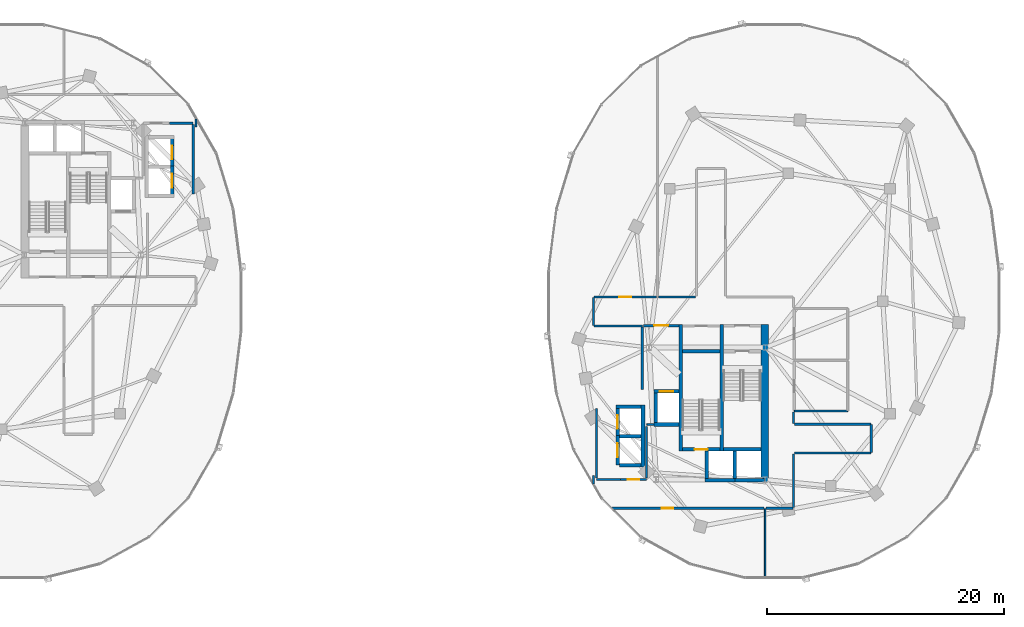
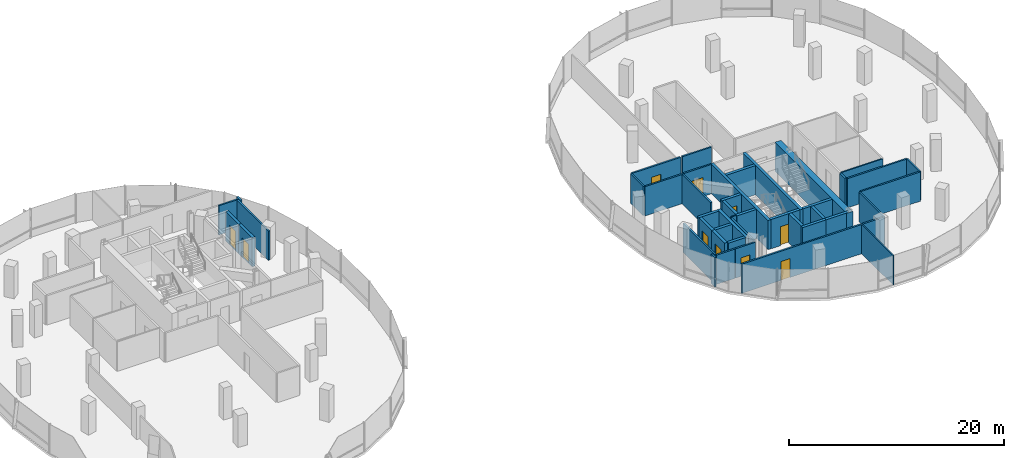
# One storey, part 13 of 21: 45 walls, 10 doors, 10 openings.
"""IFC4 building model written with IfcOpenShell, lengths in metres."""

from ifc_helpers import new_model, si_unit, direction, frame, frame_2d, origin, place, context, subcontext, project, spatial, rectangle, extrude, material, layer, layer_set, type_object, element, fill, save


model = new_model("IFC4")

# Units and contexts
model_context = context("Model", 3, precision=1e-05, world=origin(), true_north=direction((0.0, 1.0)))
body_context = subcontext(model_context, "Body", "Model", "MODEL_VIEW")
ifc_project = project(units=[si_unit("LENGTHUNIT", "METRE"), si_unit("AREAUNIT", "SQUARE_METRE"), si_unit("VOLUMEUNIT", "CUBIC_METRE"), si_unit("PLANEANGLEUNIT", "RADIAN"), si_unit("MASSUNIT", "GRAM", prefix="KILO"), si_unit("THERMODYNAMICTEMPERATUREUNIT", "KELVIN"), si_unit("POWERUNIT", "WATT")], contexts=[model_context])

# Site, building, storey
site_placement = place(None, origin())
site = spatial("IfcSite", under=ifc_project, at=site_placement, CompositionType="ELEMENT")
building_placement = place(site_placement, origin())
building = spatial("IfcBuilding", under=site, at=building_placement, Name="Cundina Bronze Exchange", CompositionType="ELEMENT")
storey_placement = place(building_placement, frame((0.0, 0.0, 183.60009765625)))
storey = spatial("IfcBuildingStorey", under=building, at=storey_placement, Name="L48", CompositionType="ELEMENT", Elevation=183.60009765625)

# Wall
ifc_material_1 = material(Name="Gypsum Fireboard Partition EI120")
ifc_layer_1 = layer(ifc_material_1, 0.179931640625, Name="Gypsum Fireboard Partition EI120")
ifc_layer_set_1 = layer_set([ifc_layer_1], Name="Gypsum Fireboard Partition EI120")
wall_type_1 = type_object("IfcWallType", Name="WL-COR-180", PredefinedType="PARTITIONING", material=ifc_layer_set_1)
wall_1_placement = place(storey_placement, frame((20.889892578125, -7.449951171875, 0.0), z_axis=(0.0, 0.0, 1.0), x_axis=(0.0, 1.0, 0.0)))
element("IfcWall", 1, at=wall_1_placement, inside=storey, type_object=wall_type_1, Name="L48 E Firefighting Lobby Side Wall", PredefinedType="PARTITIONING", context=body_context, shape_type="SweptSolid", body=[
    extrude(rectangle(XDim=5.300048828125, YDim=0.179931640625, at=frame_2d((2.64990234375, 0.0))), origin(), (0.0, 0.0, 1.0), 3.31982421875),
])

# Wall, opening, door
wall_2_placement = place(storey_placement, frame((20.97998046875, -2.06005859375, 0.0), z_axis=(0.0, 0.0, 1.0), x_axis=(1.0, 0.0, 0.0)))
wall_2 = element("IfcWall", 2, at=wall_2_placement, inside=storey, type_object=wall_type_1, Name="L48 E Firefighting Lobby Exit Wall", PredefinedType="PARTITIONING", context=body_context, shape_type="SweptSolid", body=[
    extrude(rectangle(XDim=3.0, YDim=0.179931640625, at=frame_2d((1.5, 0.0))), origin(), (0.0, 0.0, 1.0), 3.31982421875),
])
opening_1_placement = place(wall_2_placement, frame((0.89990234375, 0.0, 0.0)))
opening_1 = element("IfcOpeningElement", 3, at=opening_1_placement, cuts=wall_2, Name="Opening DF-01", PredefinedType="OPENING", context=body_context, shape_type="SweptSolid", body=[
    extrude(rectangle(XDim=1.199951171875, YDim=2.14990234375, at=frame_2d((0.60009765625, 1.074951171875))), frame((0.0, 0.099853515625, 0.0), z_axis=(0.0, -1.0, 0.0), x_axis=(1.0, 0.0, 0.0)), (0.0, 0.0, 1.0), 0.199951171875),
])
ifc_material_2 = material(Name="Steel ASTM A36 Painted", Category="steel")
door_type_1 = type_object("IfcDoorType", Name="DR-FFL-1200", OperationType="NOTDEFINED", PredefinedType="DOOR", material=ifc_material_2)
door_1_placement = place(opening_1_placement, origin())
door_1 = element("IfcDoor", 4, at=door_1_placement, inside=storey, type_object=door_type_1, Name="L48 E Firefighting Lobby Door", OperationType="SINGLE_SWING_LEFT", OverallHeight=2.14990234375, OverallWidth=1.199951171875, PredefinedType="DOOR", context=body_context, shape_type="SweptSolid", body=[
    extrude(rectangle(XDim=1.199951171875, YDim=2.14990234375, at=frame_2d((0.60009765625, 1.074951171875))), frame((0.0, 0.02490234375, 0.0), z_axis=(0.0, -1.0, 0.0), x_axis=(1.0, 0.0, 0.0)), (0.0, 0.0, 1.0), 0.050048828125),
])
fill(opening_1, door_1)

# Walls
wall_3_placement = place(storey_placement, frame((-17.02001953125, 9.070068359375, 0.0), z_axis=(0.0, 0.0, 1.0), x_axis=(0.0, 1.0, 0.0)))
element("IfcWall", 5, at=wall_3_placement, inside=storey, type_object=wall_type_1, Name="L48 Interior Partition 001", PredefinedType="PARTITIONING", context=body_context, shape_type="SweptSolid", body=[
    extrude(rectangle(XDim=5.85986328125, YDim=0.179931640625, at=frame_2d((2.929931640625, 0.0))), origin(), (0.0, 0.0, 1.0), 3.31982421875),
])
wall_4_placement = place(storey_placement, frame((-19.030029296875, 15.030029296875, 0.0), z_axis=(0.0, 0.0, 1.0), x_axis=(1.0, 0.0, 0.0)))
element("IfcWall", 6, at=wall_4_placement, inside=storey, type_object=wall_type_1, Name="L48 Interior Partition 003", PredefinedType="PARTITIONING", context=body_context, shape_type="SweptSolid", body=[
    extrude(rectangle(XDim=1.989990234375, YDim=0.179931640625, at=frame_2d((0.9951171875, 0.0))), origin(), (0.0, 0.0, 1.0), 3.31982421875),
])
wall_5_placement = place(storey_placement, frame((-16.780029296875, 14.721435546875, 0.0), z_axis=(0.0, 0.0, 1.0), x_axis=(0.0, 1.0, 0.0)))
element("IfcWall", 7, at=wall_5_placement, inside=storey, type_object=wall_type_1, Name="L48 Interior Partition 030", PredefinedType="PARTITIONING", context=body_context, shape_type="SweptSolid", body=[
    extrude(rectangle(XDim=0.68359375, YDim=0.179931640625, at=frame_2d((0.341796875, 0.0))), origin(), (0.0, 0.0, 1.0), 3.31982421875),
])
wall_6_placement = place(storey_placement, frame((17.02001953125, -14.929931640625, 0.0), z_axis=(0.0, 0.0, 1.0), x_axis=(0.0, 1.0, 0.0)))
element("IfcWall", 8, at=wall_6_placement, inside=storey, type_object=wall_type_1, Name="L48 Interior Partition 032", PredefinedType="PARTITIONING", context=body_context, shape_type="SweptSolid", body=[
    extrude(rectangle(XDim=5.85986328125, YDim=0.179931640625, at=frame_2d((2.929931640625, 0.0))), origin(), (0.0, 0.0, 1.0), 3.31982421875),
])
wall_7_placement = place(storey_placement, frame((17.0400390625, -15.030029296875, 0.0), z_axis=(0.0, 0.0, 1.0), x_axis=(1.0, 0.0, 0.0)))
element("IfcWall", 9, at=wall_7_placement, inside=storey, type_object=wall_type_1, Name="L48 Interior Partition 033", PredefinedType="PARTITIONING", context=body_context, shape_type="SweptSolid", body=[
    extrude(rectangle(XDim=1.989990234375, YDim=0.179931640625, at=frame_2d((0.9951171875, 0.0))), origin(), (0.0, 0.0, 1.0), 3.31982421875),
])

# Wall, opening, door
wall_8_placement = place(storey_placement, frame((21.22998046875, -15.030029296875, 0.0), z_axis=(0.0, 0.0, 1.0), x_axis=(-1.0, 0.0, 0.0)))
wall_8 = element("IfcWall", 10, at=wall_8_placement, inside=storey, type_object=wall_type_1, Name="L48 Interior Partition 034", PredefinedType="PARTITIONING", context=body_context, shape_type="SweptSolid", body=[
    extrude(rectangle(XDim=2.159912109375, YDim=0.179931640625, at=frame_2d((1.080078125, 0.0))), origin(), (0.0, 0.0, 1.0), 3.31982421875),
])
opening_2_placement = place(wall_8_placement, frame((0.60498046875, 0.0, 0.0)))
opening_2 = element("IfcOpeningElement", 11, at=opening_2_placement, cuts=wall_8, Name="Opening DW-01", PredefinedType="OPENING", context=body_context, shape_type="SweptSolid", body=[
    extrude(rectangle(XDim=0.949951171875, YDim=2.10009765625, at=frame_2d((0.47509765625, 1.050048828125))), frame((0.0, 0.099853515625, 0.0), z_axis=(0.0, -1.0, 0.0), x_axis=(1.0, 0.0, 0.0)), (0.0, 0.0, 1.0), 0.199951171875),
])
ifc_material_3 = material(Name="Solid Andean Oak Timber Grade A", Category="wood")
door_type_2 = type_object("IfcDoorType", Name="DR-WC-950", OperationType="NOTDEFINED", PredefinedType="DOOR", material=ifc_material_3)
door_2_placement = place(opening_2_placement, origin())
door_2 = element("IfcDoor", 12, at=door_2_placement, inside=storey, type_object=door_type_2, Name="L48 Interior Door 034", OperationType="SINGLE_SWING_RIGHT", OverallHeight=2.10009765625, OverallWidth=0.949951171875, PredefinedType="DOOR", context=body_context, shape_type="SweptSolid", body=[
    extrude(rectangle(XDim=0.949951171875, YDim=2.10009765625, at=frame_2d((0.47509765625, 1.050048828125))), frame((0.0, 0.02490234375, 0.0), z_axis=(0.0, -1.0, 0.0), x_axis=(1.0, 0.0, 0.0)), (0.0, 0.0, 1.0), 0.050048828125),
])
fill(opening_2, door_2)

# Wall
wall_9_placement = place(storey_placement, frame((21.25, -14.929931640625, 0.0), z_axis=(0.0, 0.0, 1.0), x_axis=(0.0, 1.0, 0.0)))
element("IfcWall", 13, at=wall_9_placement, inside=storey, type_object=wall_type_1, Name="L48 Interior Partition 036", PredefinedType="PARTITIONING", context=body_context, shape_type="SweptSolid", body=[
    extrude(rectangle(XDim=4.35986328125, YDim=0.179931640625, at=frame_2d((2.179931640625, 0.0))), origin(), (0.0, 0.0, 1.0), 3.31982421875),
])

# Wall, opening, door
wall_10_placement = place(storey_placement, frame((18.341796875, -17.469970703125, 0.0), z_axis=(0.0, 0.0, 1.0), x_axis=(1.0, 0.0, 0.0)))
wall_10 = element("IfcWall", 14, at=wall_10_placement, inside=storey, type_object=wall_type_1, Name="L48 Interior Partition 047", PredefinedType="PARTITIONING", context=body_context, shape_type="SweptSolid", body=[
    extrude(rectangle(XDim=12.828125, YDim=0.179931640625, at=frame_2d((6.4140625, 0.0))), origin(), (0.0, 0.0, 1.0), 3.31982421875),
])
opening_3_placement = place(wall_10_placement, frame((4.17578125, 0.0, 0.0)))
opening_3 = element("IfcOpeningElement", 15, at=opening_3_placement, cuts=wall_10, Name="Opening DO-01", PredefinedType="OPENING", context=body_context, shape_type="SweptSolid", body=[
    extrude(rectangle(XDim=1.0, YDim=2.14990234375, at=frame_2d((0.5, 1.074951171875))), frame((0.0, 0.099853515625, 0.0), z_axis=(0.0, -1.0, 0.0), x_axis=(1.0, 0.0, 0.0)), (0.0, 0.0, 1.0), 0.199951171875),
])
door_type_3 = type_object("IfcDoorType", Name="DR-OFF-1000", OperationType="NOTDEFINED", PredefinedType="DOOR", material=ifc_material_3)
door_3_placement = place(opening_3_placement, origin())
door_3 = element("IfcDoor", 16, at=door_3_placement, inside=storey, type_object=door_type_3, Name="L48 Interior Door 047", OperationType="SINGLE_SWING_RIGHT", OverallHeight=2.14990234375, OverallWidth=1.0, PredefinedType="DOOR", context=body_context, shape_type="SweptSolid", body=[
    extrude(rectangle(XDim=1.0, YDim=2.14990234375, at=frame_2d((0.5, 1.074951171875))), frame((0.0, 0.02490234375, 0.0), z_axis=(0.0, -1.0, 0.0), x_axis=(1.0, 0.0, 0.0)), (0.0, 0.0, 1.0), 0.050048828125),
])
fill(opening_3, door_3)

wall_11_placement = place(storey_placement, frame((22.080078125, 0.3701171875, 0.0), z_axis=(0.0, 0.0, 1.0), x_axis=(-1.0, 0.0, 0.0)))
wall_11 = element("IfcWall", 17, at=wall_11_placement, inside=storey, type_object=wall_type_1, Name="L48 Interior Partition 048", PredefinedType="PARTITIONING", context=body_context, shape_type="SweptSolid", body=[
    extrude(rectangle(XDim=5.258544921875, YDim=0.179931640625, at=frame_2d((2.62939453125, 0.0))), origin(), (0.0, 0.0, 1.0), 3.31982421875),
])
opening_4_placement = place(wall_11_placement, frame((2.129150390625, 0.0, 0.0)))
opening_4 = element("IfcOpeningElement", 18, at=opening_4_placement, cuts=wall_11, Name="Opening DO-01", PredefinedType="OPENING", context=body_context, shape_type="SweptSolid", body=[
    extrude(rectangle(XDim=1.0, YDim=2.14990234375, at=frame_2d((0.5, 1.074951171875))), frame((0.0, 0.099853515625, 0.0), z_axis=(0.0, -1.0, 0.0), x_axis=(1.0, 0.0, 0.0)), (0.0, 0.0, 1.0), 0.199951171875),
])
door_4_placement = place(opening_4_placement, origin())
door_4 = element("IfcDoor", 19, at=door_4_placement, inside=storey, type_object=door_type_3, Name="L48 Interior Door 048", OperationType="SINGLE_SWING_RIGHT", OverallHeight=2.14990234375, OverallWidth=1.0, PredefinedType="DOOR", context=body_context, shape_type="SweptSolid", body=[
    extrude(rectangle(XDim=1.0, YDim=2.14990234375, at=frame_2d((0.5, 1.074951171875))), frame((0.0, 0.02490234375, 0.0), z_axis=(0.0, -1.0, 0.0), x_axis=(1.0, 0.0, 0.0)), (0.0, 0.0, 1.0), 0.050048828125),
])
fill(opening_4, door_4)

# Walls
wall_12_placement = place(storey_placement, frame((16.821533203125, -2.10009765625, 0.0), z_axis=(0.0, 0.0, 1.0), x_axis=(1.0, 0.0, 0.0)))
element("IfcWall", 20, at=wall_12_placement, inside=storey, type_object=wall_type_1, Name="L48 Interior Partition 049", PredefinedType="PARTITIONING", context=body_context, shape_type="SweptSolid", body=[
    extrude(rectangle(XDim=4.098388671875, YDim=0.179931640625, at=frame_2d((2.04931640625, 0.0))), origin(), (0.0, 0.0, 1.0), 3.31982421875),
])
wall_13_placement = place(storey_placement, frame((16.780029296875, 0.32861328125, 0.0), z_axis=(0.0, 0.0, 1.0), x_axis=(0.0, -1.0, 0.0)))
element("IfcWall", 21, at=wall_13_placement, inside=storey, type_object=wall_type_1, Name="L48 Interior Partition 050", PredefinedType="PARTITIONING", context=body_context, shape_type="SweptSolid", body=[
    extrude(rectangle(XDim=2.38720703125, YDim=0.179931640625, at=frame_2d((1.193603515625, 0.0))), origin(), (0.0, 0.0, 1.0), 3.31982421875),
])
wall_14_placement = place(storey_placement, frame((16.780029296875, -14.721435546875, 0.0), z_axis=(0.0, 0.0, 1.0), x_axis=(0.0, -1.0, 0.0)))
element("IfcWall", 22, at=wall_14_placement, inside=storey, type_object=wall_type_1, Name="L48 Interior Partition 051", PredefinedType="PARTITIONING", context=body_context, shape_type="SweptSolid", body=[
    extrude(rectangle(XDim=0.68359375, YDim=0.179931640625, at=frame_2d((0.341796875, 0.0))), origin(), (0.0, 0.0, 1.0), 3.31982421875),
])
for number, where, z_axis, x_axis, name in (
    (23, (33.75, -12.820068359375, 0.0), (0.0, 0.0, 1.0), (1.0, 0.0, 0.0), "L48 Interior Partition 054"),
    (24, (40.178466796875, -10.3798828125, 0.0), (0.0, 0.0, 1.0), (-1.0, 0.0, 0.0), "L48 Interior Partition 055"),
):
    element("IfcWall", number, at=place(storey_placement, frame(where, z_axis=z_axis, x_axis=x_axis)), inside=storey, type_object=wall_type_1, Name=name, PredefinedType="PARTITIONING", context=body_context, shape_type="SweptSolid", body=[
        extrude(rectangle(XDim=6.428466796875, YDim=0.179931640625, at=frame_2d((3.21435546875, 0.0))), origin(), (0.0, 0.0, 1.0), 3.31982421875),
    ])
wall_15_placement = place(storey_placement, frame((33.669921875, -17.428466796875, 0.0), z_axis=(0.0, 0.0, 1.0), x_axis=(0.0, 1.0, 0.0)))
element("IfcWall", 25, at=wall_15_placement, inside=storey, type_object=wall_type_1, Name="L48 Interior Partition 057", PredefinedType="PARTITIONING", context=body_context, shape_type="SweptSolid", body=[
    extrude(rectangle(XDim=4.528564453125, YDim=0.179931640625, at=frame_2d((2.26416015625, 0.0))), origin(), (0.0, 0.0, 1.0), 3.31982421875),
])
wall_16_placement = place(storey_placement, frame((25.39990234375, 0.3701171875, 0.0), z_axis=(0.0, 0.0, 1.0), x_axis=(-1.0, 0.0, 0.0)))
element("IfcWall", 26, at=wall_16_placement, inside=storey, type_object=wall_type_1, Name="L48 Interior Partition 058", PredefinedType="PARTITIONING", context=body_context, shape_type="SweptSolid", body=[
    extrude(rectangle(XDim=3.139892578125, YDim=0.179931640625, at=frame_2d((1.56982421875, 0.0))), origin(), (0.0, 0.0, 1.0), 3.31982421875),
])
wall_17_placement = place(storey_placement, frame((40.219970703125, -12.778564453125, 0.0), z_axis=(0.0, 0.0, 1.0), x_axis=(0.0, 1.0, 0.0)))
element("IfcWall", 27, at=wall_17_placement, inside=storey, type_object=wall_type_1, Name="L48 Interior Partition 060", PredefinedType="PARTITIONING", context=body_context, shape_type="SweptSolid", body=[
    extrude(rectangle(XDim=2.357177734375, YDim=0.179931640625, at=frame_2d((1.1787109375, 0.0))), origin(), (0.0, 0.0, 1.0), 3.31982421875),
])
wall_18_placement = place(storey_placement, frame((31.35009765625, -17.469970703125, 0.0), z_axis=(0.0, 0.0, 1.0), x_axis=(1.0, 0.0, 0.0)))
element("IfcWall", 28, at=wall_18_placement, inside=storey, type_object=wall_type_1, Name="L48 Interior Partition 061", PredefinedType="PARTITIONING", context=body_context, shape_type="SweptSolid", body=[
    extrude(rectangle(XDim=2.2783203125, YDim=0.179931640625, at=frame_2d((1.13916015625, 0.0))), origin(), (0.0, 0.0, 1.0), 3.31982421875),
])
wall_19_placement = place(storey_placement, frame((33.669921875, -10.300048828125, 0.0), z_axis=(0.0, 0.0, 1.0), x_axis=(0.0, 1.0, 0.0)))
element("IfcWall", 29, at=wall_19_placement, inside=storey, type_object=wall_type_1, Name="L48 Interior Partition 062", PredefinedType="PARTITIONING", context=body_context, shape_type="SweptSolid", body=[
    extrude(rectangle(XDim=0.94873046875, YDim=0.179931640625, at=frame_2d((0.474365234375, 0.0))), origin(), (0.0, 0.0, 1.0), 3.31982421875),
])
ifc_material_4 = material(Name="Concrete C50/60", Category="concrete")
ifc_layer_2 = layer(ifc_material_4, 0.64990234375, Name="Concrete C50/60", Category="concrete")
ifc_layer_set_2 = layer_set([ifc_layer_2], Name="Concrete C50/60")
wall_type_2 = type_object("IfcWallType", Name="WL-CORE-650", PredefinedType="SHEAR", material=ifc_layer_set_2)
wall_20_placement = place(storey_placement, frame((31.22509765625, -15.300048828125, 0.0), z_axis=(0.0, 0.0, 1.0), x_axis=(0.0, 1.0, 0.0)))
element("IfcWall", 30, at=wall_20_placement, inside=storey, type_object=wall_type_2, Name="L48 E Primary Core Shear Spine Wall", PredefinedType="SHEAR", context=body_context, shape_type="SweptSolid", body=[
    extrude(rectangle(XDim=13.330078125, YDim=0.64990234375, at=frame_2d((6.6650390625, 0.0))), origin(), (0.0, 0.0, 1.0), 3.31982421875),
])
ifc_material_5 = material(Name="Gypsum Acoustic Partition EI60")
ifc_layer_3 = layer(ifc_material_5, 0.125, Name="Gypsum Acoustic Partition EI60")
ifc_layer_set_3 = layer_set([ifc_layer_3], Name="Gypsum Acoustic Partition EI60")
wall_type_3 = type_object("IfcWallType", Name="WL-OFF-125", PredefinedType="PARTITIONING", material=ifc_layer_set_3)
wall_21_placement = place(storey_placement, frame((31.260009765625, -23.402099609375, 0.0), z_axis=(0.0, 0.0, 1.0), x_axis=(0.0, 1.0, 0.0)))
element("IfcWall", 31, at=wall_21_placement, inside=storey, type_object=wall_type_3, Name="L48 Interior Partition 046", PredefinedType="PARTITIONING", context=body_context, shape_type="SweptSolid", body=[
    extrude(rectangle(XDim=5.902099609375, YDim=0.125, at=frame_2d((2.951171875, 0.0))), origin(), (0.0, 0.0, 1.0), 3.31982421875),
])

# Wall, opening, door
ifc_layer_4 = layer(ifc_material_4, 0.300048828125, Name="Concrete C50/60", Category="concrete")
ifc_layer_set_4 = layer_set([ifc_layer_4], Name="Concrete C50/60")
wall_type_4 = type_object("IfcWallType", Name="WL-SHFT-300", PredefinedType="SHEAR", material=ifc_layer_set_4)
wall_22_placement = place(storey_placement, frame((-18.800048828125, 8.929931640625, 0.0), z_axis=(0.0, 0.0, 1.0), x_axis=(0.0, 1.0, 0.0)))
wall_22 = element("IfcWall", 32, at=wall_22_placement, inside=storey, type_object=wall_type_4, Name="L48 PM-W2 Hoistway Front Wall", PredefinedType="SHEAR", context=body_context, shape_type="SweptSolid", body=[
    extrude(rectangle(XDim=2.489990234375, YDim=0.300048828125, at=frame_2d((1.2451171875, 0.0))), origin(), (0.0, 0.0, 1.0), 3.31982421875),
])
opening_5_placement = place(wall_22_placement, frame((0.669921875, 0.0, 0.0)))
opening_5 = element("IfcOpeningElement", 33, at=opening_5_placement, cuts=wall_22, Name="Opening LD-01", PredefinedType="OPENING", context=body_context, shape_type="SweptSolid", body=[
    extrude(rectangle(XDim=1.14990234375, YDim=2.199951171875, at=frame_2d((0.574951171875, 1.10009765625))), frame((0.0, 0.159912109375, 0.0), z_axis=(0.0, -1.0, 0.0), x_axis=(1.0, 0.0, 0.0)), (0.0, 0.0, 1.0), 0.320068359375),
])
door_type_4 = type_object("IfcDoorType", Name="DR-LND-1150", OperationType="NOTDEFINED", PredefinedType="TRAPDOOR", material=ifc_material_2)
door_5_placement = place(opening_5_placement, origin())
door_5 = element("IfcDoor", 34, at=door_5_placement, inside=storey, type_object=door_type_4, Name="L48 PM-W2 Sliding Landing Door", OperationType="SLIDING_TO_LEFT", OverallHeight=2.199951171875, OverallWidth=1.14990234375, PredefinedType="TRAPDOOR", context=body_context, shape_type="SweptSolid", body=[
    extrude(rectangle(XDim=1.14990234375, YDim=2.199951171875, at=frame_2d((0.574951171875, 1.10009765625))), frame((0.0, 0.02490234375, 0.0), z_axis=(0.0, -1.0, 0.0), x_axis=(1.0, 0.0, 0.0)), (0.0, 0.0, 1.0), 0.050048828125),
])
fill(opening_5, door_5)

wall_23_placement = place(storey_placement, frame((-18.800048828125, 11.330078125, 0.0), z_axis=(0.0, 0.0, 1.0), x_axis=(0.0, 1.0, 0.0)))
wall_23 = element("IfcWall", 35, at=wall_23_placement, inside=storey, type_object=wall_type_4, Name="L48 PM-W1 Hoistway Front Wall", PredefinedType="SHEAR", context=body_context, shape_type="SweptSolid", body=[
    extrude(rectangle(XDim=2.489990234375, YDim=0.300048828125, at=frame_2d((1.2451171875, 0.0))), origin(), (0.0, 0.0, 1.0), 3.31982421875),
])
opening_6_placement = place(wall_23_placement, frame((0.669921875, 0.0, 0.0)))
opening_6 = element("IfcOpeningElement", 36, at=opening_6_placement, cuts=wall_23, Name="Opening LD-01", PredefinedType="OPENING", context=body_context, shape_type="SweptSolid", body=[
    extrude(rectangle(XDim=1.14990234375, YDim=2.199951171875, at=frame_2d((0.574951171875, 1.10009765625))), frame((0.0, 0.159912109375, 0.0), z_axis=(0.0, -1.0, 0.0), x_axis=(1.0, 0.0, 0.0)), (0.0, 0.0, 1.0), 0.320068359375),
])
door_6_placement = place(opening_6_placement, origin())
door_6 = element("IfcDoor", 37, at=door_6_placement, inside=storey, type_object=door_type_4, Name="L48 PM-W1 Sliding Landing Door", OperationType="SLIDING_TO_LEFT", OverallHeight=2.199951171875, OverallWidth=1.14990234375, PredefinedType="TRAPDOOR", context=body_context, shape_type="SweptSolid", body=[
    extrude(rectangle(XDim=1.14990234375, YDim=2.199951171875, at=frame_2d((0.574951171875, 1.10009765625))), frame((0.0, 0.02490234375, 0.0), z_axis=(0.0, -1.0, 0.0), x_axis=(1.0, 0.0, 0.0)), (0.0, 0.0, 1.0), 0.050048828125),
])
fill(opening_6, door_6)

# Walls
for number, where, z_axis, x_axis, name in (
    (38, (27.590087890625, -12.64990234375, 0.0), (0.0, 0.0, 1.0), (0.0, 1.0, 0.0), "L48 E Stair Shaft Dividing Shear Wall"),
    (39, (24.1298828125, -12.64990234375, 0.0), (0.0, 0.0, 1.0), (0.0, 1.0, 0.0), "L48 E Stair 2 East Shear Wall"),
):
    element("IfcWall", number, at=place(storey_placement, frame(where, z_axis=z_axis, x_axis=x_axis)), inside=storey, type_object=wall_type_4, Name=name, PredefinedType="SHEAR", context=body_context, shape_type="SweptSolid", body=[
        extrude(rectangle(XDim=10.679931640625, YDim=0.300048828125, at=frame_2d((5.33984375, 0.0))), origin(), (0.0, 0.0, 1.0), 3.31982421875),
    ])
wall_24_placement = place(storey_placement, frame((27.739990234375, -12.5, 0.0), z_axis=(0.0, 0.0, 1.0), x_axis=(1.0, 0.0, 0.0)))
element("IfcWall", 40, at=wall_24_placement, inside=storey, type_object=wall_type_4, Name="L48 Stair E1 Far Shaft Wall", PredefinedType="SHEAR", context=body_context, shape_type="SweptSolid", body=[
    extrude(rectangle(XDim=3.159912109375, YDim=0.300048828125, at=frame_2d((1.580078125, 0.0))), origin(), (0.0, 0.0, 1.0), 3.31982421875),
])

# Wall, opening, door
wall_25_placement = place(storey_placement, frame((24.280029296875, -12.5, 0.0), z_axis=(0.0, 0.0, 1.0), x_axis=(1.0, 0.0, 0.0)))
wall_25 = element("IfcWall", 41, at=wall_25_placement, inside=storey, type_object=wall_type_4, Name="L48 Stair E2 Landing Wall", PredefinedType="SHEAR", context=body_context, shape_type="SweptSolid", body=[
    extrude(rectangle(XDim=3.159912109375, YDim=0.300048828125, at=frame_2d((1.580078125, 0.0))), origin(), (0.0, 0.0, 1.0), 3.31982421875),
])
opening_7_placement = place(wall_25_placement, frame((1.030029296875, 0.0, 0.0)))
opening_7 = element("IfcOpeningElement", 42, at=opening_7_placement, cuts=wall_25, Name="Opening DS-01", PredefinedType="OPENING", context=body_context, shape_type="SweptSolid", body=[
    extrude(rectangle(XDim=1.10009765625, YDim=2.14990234375, at=frame_2d((0.550048828125, 1.074951171875))), frame((0.0, 0.159912109375, 0.0), z_axis=(0.0, -1.0, 0.0), x_axis=(1.0, 0.0, 0.0)), (0.0, 0.0, 1.0), 0.320068359375),
])
door_type_5 = type_object("IfcDoorType", Name="DR-STR-1100", OperationType="NOTDEFINED", PredefinedType="DOOR", material=ifc_material_2)
door_7_placement = place(opening_7_placement, origin())
door_7 = element("IfcDoor", 43, at=door_7_placement, inside=storey, type_object=door_type_5, Name="L48 Smokeproof Stair E2 Door", OperationType="SINGLE_SWING_RIGHT", OverallHeight=2.14990234375, OverallWidth=1.10009765625, PredefinedType="DOOR", context=body_context, shape_type="SweptSolid", body=[
    extrude(rectangle(XDim=1.10009765625, YDim=2.14990234375, at=frame_2d((0.550048828125, 1.074951171875))), frame((0.0, 0.02490234375, 0.0), z_axis=(0.0, -1.0, 0.0), x_axis=(1.0, 0.0, 0.0)), (0.0, 0.0, 1.0), 0.050048828125),
])
fill(opening_7, door_7)

# Wall
wall_26_placement = place(storey_placement, frame((24.280029296875, -4.199951171875, 0.0), z_axis=(0.0, 0.0, 1.0), x_axis=(1.0, 0.0, 0.0)))
element("IfcWall", 44, at=wall_26_placement, inside=storey, type_object=wall_type_4, Name="L48 Stair E2 Far Shaft Wall", PredefinedType="SHEAR", context=body_context, shape_type="SweptSolid", body=[
    extrude(rectangle(XDim=3.159912109375, YDim=0.300048828125, at=frame_2d((1.580078125, 0.0))), origin(), (0.0, 0.0, 1.0), 3.31982421875),
])

# Wall, opening, door
wall_27_placement = place(storey_placement, frame((21.8798828125, -7.60009765625, 0.0), z_axis=(0.0, 0.0, 1.0), x_axis=(1.0, 0.0, 0.0)))
wall_27 = element("IfcWall", 45, at=wall_27_placement, inside=storey, type_object=wall_type_4, Name="L48 FFL-E Hoistway Front Wall", PredefinedType="SHEAR", context=body_context, shape_type="SweptSolid", body=[
    extrude(rectangle(XDim=2.10009765625, YDim=0.300048828125, at=frame_2d((1.050048828125, 0.0))), origin(), (0.0, 0.0, 1.0), 3.31982421875),
])
opening_8_placement = place(wall_27_placement, frame((0.47509765625, 0.0, 0.0)))
opening_8 = element("IfcOpeningElement", 46, at=opening_8_placement, cuts=wall_27, Name="Opening LD-01", PredefinedType="OPENING", context=body_context, shape_type="SweptSolid", body=[
    extrude(rectangle(XDim=1.14990234375, YDim=2.199951171875, at=frame_2d((0.574951171875, 1.10009765625))), frame((0.0, 0.159912109375, 0.0), z_axis=(0.0, -1.0, 0.0), x_axis=(1.0, 0.0, 0.0)), (0.0, 0.0, 1.0), 0.320068359375),
])
door_8_placement = place(opening_8_placement, origin())
door_8 = element("IfcDoor", 47, at=door_8_placement, inside=storey, type_object=door_type_4, Name="L48 FFL-E Sliding Landing Door", OperationType="SLIDING_TO_LEFT", OverallHeight=2.199951171875, OverallWidth=1.14990234375, PredefinedType="TRAPDOOR", context=body_context, shape_type="SweptSolid", body=[
    extrude(rectangle(XDim=1.14990234375, YDim=2.199951171875, at=frame_2d((0.574951171875, 1.10009765625))), frame((0.0, 0.02490234375, 0.0), z_axis=(0.0, -1.0, 0.0), x_axis=(1.0, 0.0, 0.0)), (0.0, 0.0, 1.0), 0.050048828125),
])
fill(opening_8, door_8)

# Walls
wall_28_placement = place(storey_placement, frame((21.8798828125, -10.39990234375, 0.0), z_axis=(0.0, 0.0, 1.0), x_axis=(1.0, 0.0, 0.0)))
element("IfcWall", 48, at=wall_28_placement, inside=storey, type_object=wall_type_4, Name="L48 FFL-E Hoistway Back Wall", PredefinedType="SHEAR", context=body_context, shape_type="SweptSolid", body=[
    extrude(rectangle(XDim=2.10009765625, YDim=0.300048828125, at=frame_2d((1.050048828125, 0.0))), origin(), (0.0, 0.0, 1.0), 3.31982421875),
])
for number, where, z_axis, x_axis, name in (
    (49, (22.030029296875, -10.25, 0.0), (0.0, 0.0, 1.0), (0.0, 1.0, 0.0), "L48 FFL-E Hoistway Side Wall"),
    (50, (28.699951171875, -15.10009765625, 0.0), (0.0, 0.0, 1.0), (1.0, 0.0, 0.0), "L48 PH-E1 Hoistway Front Wall"),
):
    element("IfcWall", number, at=place(storey_placement, frame(where, z_axis=z_axis, x_axis=x_axis)), inside=storey, type_object=wall_type_4, Name=name, PredefinedType="SHEAR", context=body_context, shape_type="SweptSolid", body=[
        extrude(rectangle(XDim=2.5, YDim=0.300048828125, at=frame_2d((1.25, 0.0))), origin(), (0.0, 0.0, 1.0), 3.31982421875),
    ])
wall_29_placement = place(storey_placement, frame((28.699951171875, -14.949951171875, 0.0), z_axis=(0.0, 0.0, 1.0), x_axis=(0.0, 1.0, 0.0)))
element("IfcWall", 51, at=wall_29_placement, inside=storey, type_object=wall_type_4, Name="L48 PH-E1 Hoistway Divider Wall", PredefinedType="SHEAR", context=body_context, shape_type="SweptSolid", body=[
    extrude(rectangle(XDim=2.300048828125, YDim=0.300048828125, at=frame_2d((1.14990234375, 0.0))), origin(), (0.0, 0.0, 1.0), 3.31982421875),
])
wall_30_placement = place(storey_placement, frame((26.199951171875, -15.10009765625, 0.0), z_axis=(0.0, 0.0, 1.0), x_axis=(1.0, 0.0, 0.0)))
element("IfcWall", 52, at=wall_30_placement, inside=storey, type_object=wall_type_4, Name="L48 PH-E2 Hoistway Front Wall", PredefinedType="SHEAR", context=body_context, shape_type="SweptSolid", body=[
    extrude(rectangle(XDim=2.5, YDim=0.300048828125, at=frame_2d((1.25, 0.0))), origin(), (0.0, 0.0, 1.0), 3.31982421875),
])
wall_31_placement = place(storey_placement, frame((26.35009765625, -14.949951171875, 0.0), z_axis=(0.0, 0.0, 1.0), x_axis=(0.0, 1.0, 0.0)))
element("IfcWall", 53, at=wall_31_placement, inside=storey, type_object=wall_type_4, Name="L48 PH-E2 Hoistway Divider Wall", PredefinedType="SHEAR", context=body_context, shape_type="SweptSolid", body=[
    extrude(rectangle(XDim=2.300048828125, YDim=0.300048828125, at=frame_2d((1.14990234375, 0.0))), origin(), (0.0, 0.0, 1.0), 3.31982421875),
])
wall_32_placement = place(storey_placement, frame((20.949951171875, -14.0, 0.0), z_axis=(0.0, 0.0, 1.0), x_axis=(0.0, 1.0, 0.0)))
element("IfcWall", 54, at=wall_32_placement, inside=storey, type_object=wall_type_4, Name="L48 E Passenger Bank Hoistway Back Wall", PredefinedType="SHEAR", context=body_context, shape_type="SweptSolid", body=[
    extrude(rectangle(XDim=5.25, YDim=0.300048828125, at=frame_2d((2.625, 0.0))), origin(), (0.0, 0.0, 1.0), 3.31982421875),
])
wall_33_placement = place(storey_placement, frame((18.949951171875, -13.85009765625, 0.0), z_axis=(0.0, 0.0, 1.0), x_axis=(1.0, 0.0, 0.0)))
element("IfcWall", 55, at=wall_33_placement, inside=storey, type_object=wall_type_4, Name="L48 E Passenger Bank South Cap Wall", PredefinedType="SHEAR", context=body_context, shape_type="SweptSolid", body=[
    extrude(rectangle(XDim=1.85009765625, YDim=0.300048828125, at=frame_2d((0.925048828125, 0.0))), origin(), (0.0, 0.0, 1.0), 3.31982421875),
])
wall_34_placement = place(storey_placement, frame((18.64990234375, -8.89990234375, 0.0), z_axis=(0.0, 0.0, 1.0), x_axis=(1.0, 0.0, 0.0)))
element("IfcWall", 56, at=wall_34_placement, inside=storey, type_object=wall_type_4, Name="L48 E Passenger Bank North Cap Wall", PredefinedType="SHEAR", context=body_context, shape_type="SweptSolid", body=[
    extrude(rectangle(XDim=2.150146484375, YDim=0.300048828125, at=frame_2d((1.0751953125, 0.0))), origin(), (0.0, 0.0, 1.0), 3.31982421875),
])
wall_35_placement = place(storey_placement, frame((18.949951171875, -11.375, 0.0), z_axis=(0.0, 0.0, 1.0), x_axis=(1.0, 0.0, 0.0)))
element("IfcWall", 57, at=wall_35_placement, inside=storey, type_object=wall_type_4, Name="L48 E Passenger Hoistway Divider 1", PredefinedType="SHEAR", context=body_context, shape_type="SweptSolid", body=[
    extrude(rectangle(XDim=1.85009765625, YDim=0.300048828125, at=frame_2d((0.925048828125, 0.0))), origin(), (0.0, 0.0, 1.0), 3.31982421875),
])

# Wall, opening, door
wall_36_placement = place(storey_placement, frame((18.800048828125, -13.820068359375, 0.0), z_axis=(0.0, 0.0, 1.0), x_axis=(0.0, 1.0, 0.0)))
wall_36 = element("IfcWall", 58, at=wall_36_placement, inside=storey, type_object=wall_type_4, Name="L48 PM-E1 Hoistway Front Wall", PredefinedType="SHEAR", context=body_context, shape_type="SweptSolid", body=[
    extrude(rectangle(XDim=2.489990234375, YDim=0.300048828125, at=frame_2d((1.2451171875, 0.0))), origin(), (0.0, 0.0, 1.0), 3.31982421875),
])
opening_9_placement = place(wall_36_placement, frame((0.669921875, 0.0, 0.0)))
opening_9 = element("IfcOpeningElement", 59, at=opening_9_placement, cuts=wall_36, Name="Opening LD-01", PredefinedType="OPENING", context=body_context, shape_type="SweptSolid", body=[
    extrude(rectangle(XDim=1.14990234375, YDim=2.199951171875, at=frame_2d((0.574951171875, 1.10009765625))), frame((0.0, 0.159912109375, 0.0), z_axis=(0.0, -1.0, 0.0), x_axis=(1.0, 0.0, 0.0)), (0.0, 0.0, 1.0), 0.320068359375),
])
door_9_placement = place(opening_9_placement, origin())
door_9 = element("IfcDoor", 60, at=door_9_placement, inside=storey, type_object=door_type_4, Name="L48 PM-E1 Sliding Landing Door", OperationType="SLIDING_TO_LEFT", OverallHeight=2.199951171875, OverallWidth=1.14990234375, PredefinedType="TRAPDOOR", context=body_context, shape_type="SweptSolid", body=[
    extrude(rectangle(XDim=1.14990234375, YDim=2.199951171875, at=frame_2d((0.574951171875, 1.10009765625))), frame((0.0, 0.02490234375, 0.0), z_axis=(0.0, -1.0, 0.0), x_axis=(1.0, 0.0, 0.0)), (0.0, 0.0, 1.0), 0.050048828125),
])
fill(opening_9, door_9)

wall_37_placement = place(storey_placement, frame((18.800048828125, -11.419921875, 0.0), z_axis=(0.0, 0.0, 1.0), x_axis=(0.0, 1.0, 0.0)))
wall_37 = element("IfcWall", 61, at=wall_37_placement, inside=storey, type_object=wall_type_4, Name="L48 PM-E2 Hoistway Front Wall", PredefinedType="SHEAR", context=body_context, shape_type="SweptSolid", body=[
    extrude(rectangle(XDim=2.489990234375, YDim=0.300048828125, at=frame_2d((1.2451171875, 0.0))), origin(), (0.0, 0.0, 1.0), 3.31982421875),
])
opening_10_placement = place(wall_37_placement, frame((0.669921875, 0.0, 0.0)))
opening_10 = element("IfcOpeningElement", 62, at=opening_10_placement, cuts=wall_37, Name="Opening LD-01", PredefinedType="OPENING", context=body_context, shape_type="SweptSolid", body=[
    extrude(rectangle(XDim=1.14990234375, YDim=2.199951171875, at=frame_2d((0.574951171875, 1.10009765625))), frame((0.0, 0.159912109375, 0.0), z_axis=(0.0, -1.0, 0.0), x_axis=(1.0, 0.0, 0.0)), (0.0, 0.0, 1.0), 0.320068359375),
])
door_10_placement = place(opening_10_placement, origin())
door_10 = element("IfcDoor", 63, at=door_10_placement, inside=storey, type_object=door_type_4, Name="L48 PM-E2 Sliding Landing Door", OperationType="SLIDING_TO_LEFT", OverallHeight=2.199951171875, OverallWidth=1.14990234375, PredefinedType="TRAPDOOR", context=body_context, shape_type="SweptSolid", body=[
    extrude(rectangle(XDim=1.14990234375, YDim=2.199951171875, at=frame_2d((0.574951171875, 1.10009765625))), frame((0.0, 0.02490234375, 0.0), z_axis=(0.0, -1.0, 0.0), x_axis=(1.0, 0.0, 0.0)), (0.0, 0.0, 1.0), 0.050048828125),
])
fill(opening_10, door_10)

# Walls
ifc_material_6 = material(Name="Moisture-Resistant Masonry Block Grade M15", Category="masonry")
ifc_layer_5 = layer(ifc_material_6, 0.139892578125, Name="Moisture-Resistant Masonry Block Grade M15", Category="masonry")
ifc_layer_set_5 = layer_set([ifc_layer_5], Name="Moisture-Resistant Masonry Block Grade M15")
wall_type_5 = type_object("IfcWallType", Name="WL-WET-140", PredefinedType="PARTITIONING", material=ifc_layer_set_5)
wall_38_placement = place(storey_placement, frame((21.27001953125, -10.39990234375, 0.0), z_axis=(0.0, 0.0, 1.0), x_axis=(1.0, 0.0, 0.0)))
element("IfcWall", 64, at=wall_38_placement, inside=storey, type_object=wall_type_5, Name="L48 Interior Partition 035", PredefinedType="PARTITIONING", context=body_context, shape_type="SweptSolid", body=[
    extrude(rectangle(XDim=0.590087890625, YDim=0.139892578125, at=frame_2d((0.294921875, 0.0))), origin(), (0.0, 0.0, 1.0), 3.31982421875),
])
wall_39_placement = place(storey_placement, frame((33.739990234375, -9.260009765625, 0.0), z_axis=(0.0, 0.0, 1.0), x_axis=(1.0, 0.0, 0.0)))
element("IfcWall", 65, at=wall_39_placement, inside=storey, type_object=wall_type_5, Name="L48 Interior Partition 042", PredefinedType="PARTITIONING", context=body_context, shape_type="SweptSolid", body=[
    extrude(rectangle(XDim=4.47998046875, YDim=0.139892578125, at=frame_2d((2.239990234375, 0.0))), origin(), (0.0, 0.0, 1.0), 3.31982421875),
])

save(model, "model.ifc")
